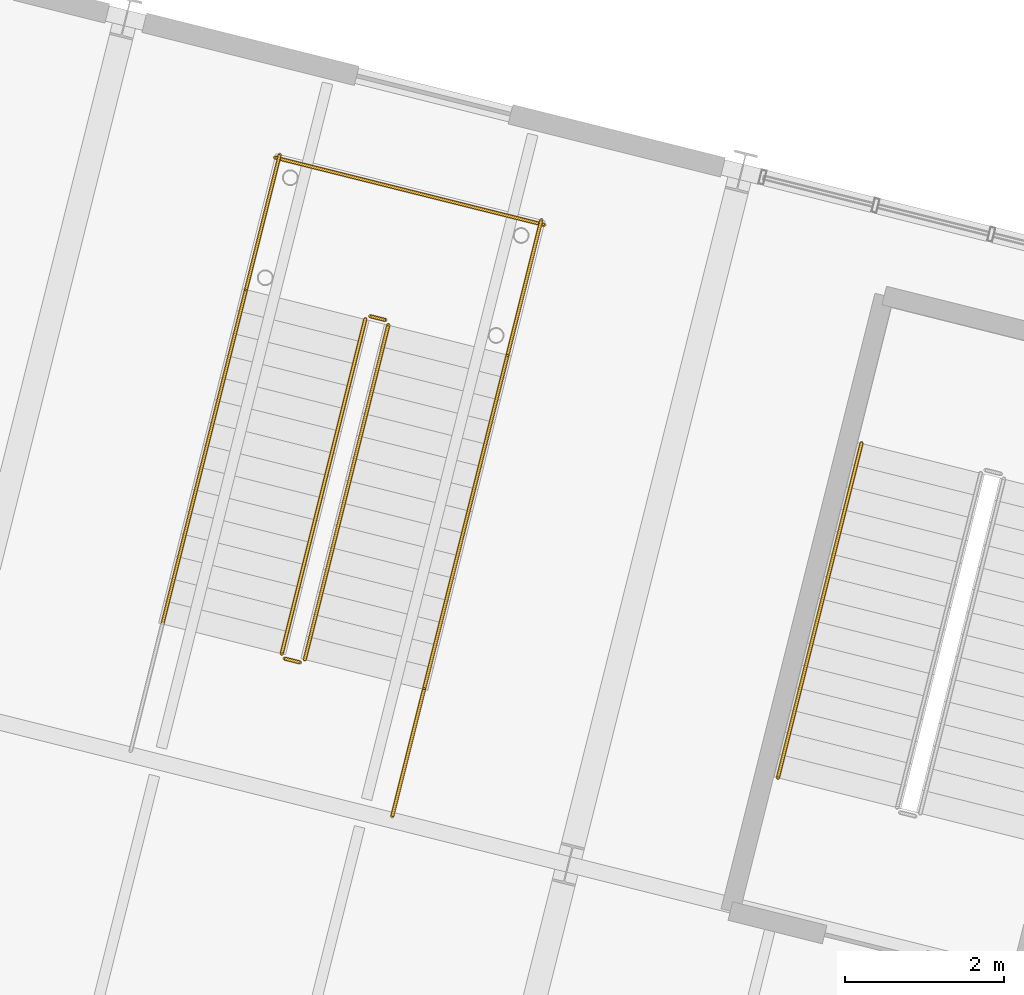
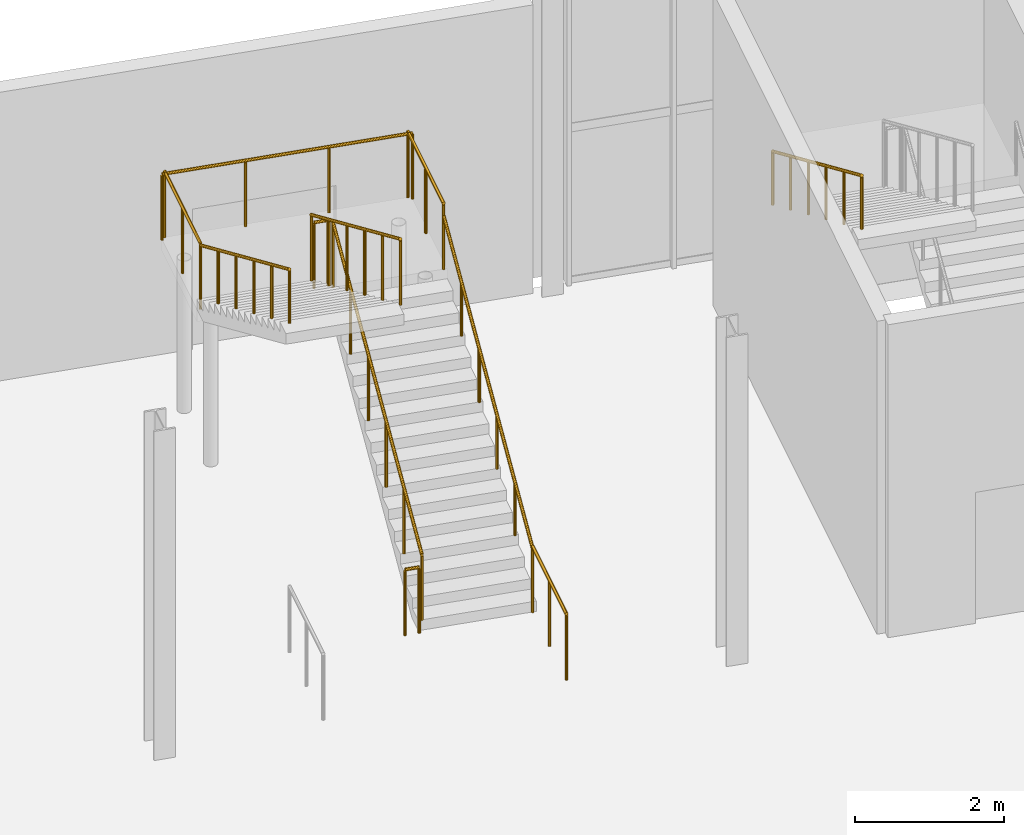
# One storey, part 152 of 158: 11 railings.
"""IFC4 building model written with IfcOpenShell, lengths in metres."""

from ifc_helpers import new_model, si_unit, derived_unit, direction, frame, origin, origin_2d, place, context, subcontext, project, spatial, circle, extrude, material, type_object, element, save


model = new_model("IFC4")

# Units and contexts
model_context = context("Model", 3, precision=1e-05, world=origin(), true_north=direction((0.0, 1.0)))
body_context = subcontext(model_context, "Body", "Model", "MODEL_VIEW")
ifc_project = project(units=[si_unit("LENGTHUNIT", "METRE"), si_unit("AREAUNIT", "SQUARE_METRE"), si_unit("VOLUMEUNIT", "CUBIC_METRE"), si_unit("PLANEANGLEUNIT", "RADIAN"), si_unit("MASSUNIT", "GRAM", prefix="KILO"), si_unit("THERMODYNAMICTEMPERATUREUNIT", "KELVIN"), si_unit("TIMEUNIT", "SECOND"), derived_unit("THERMALTRANSMITTANCEUNIT", [(si_unit("MASSUNIT", "GRAM", prefix="KILO"), 1), (si_unit("THERMODYNAMICTEMPERATUREUNIT", "KELVIN"), -1), (si_unit("TIMEUNIT", "SECOND"), -3)])], contexts=[model_context])

# Site, building, storey
site_placement = place(None, origin())
site = spatial("IfcSite", under=ifc_project, at=site_placement, CompositionType="ELEMENT")
building_placement = place(site_placement, origin())
building = spatial("IfcBuilding", under=site, at=building_placement, Name="Cambertide Market Hall", CompositionType="ELEMENT")
storey_placement = place(building_placement, origin())
storey = spatial("IfcBuildingStorey", under=building, at=storey_placement, Name="L01", CompositionType="ELEMENT", Elevation=0.0)

# Railings
ifc_material_1 = material(Name="Stainless Steel Grade 316", Category="metal")
railing_type_1 = type_object("IfcRailingType", Name="Stair Wall Handrail 900", PredefinedType="HANDRAIL", material=ifc_material_1)
railing_1_placement = place(storey_placement, frame((139.34765625, 116.953125, 2.86865234375)))
element("IfcRailing", 1, at=railing_1_placement, inside=storey, type_object=railing_type_1, Name="Level 1 ST-07B stair handrail 2", PredefinedType="HANDRAIL", context=body_context, shape_type="SweptSolid", body=[
    extrude(circle(Radius=0.02392578125, at=origin_2d()), frame((0.0, 0.0, 0.8759765625), z_axis=(-0.209614653707, -0.838507125508, 0.502958743261), x_axis=(0.970145801612, -0.242522418789, 0.0)), (0.0, 0.0, 1.0), 5.03271484375),
    extrude(circle(Radius=0.02099609375, at=origin_2d()), origin(), (0.0, 0.0, 1.0), 0.851806640625),
    extrude(circle(Radius=0.02099609375, at=origin_2d()), frame((-0.2109375, -0.843994140625, 0.50634765625)), (0.0, 0.0, 1.0), 0.851806640625),
    extrude(circle(Radius=0.02099609375, at=origin_2d()), frame((-0.421875, -1.68798828125, 1.012451171875)), (0.0, 0.0, 1.0), 0.851806640625),
    extrude(circle(Radius=0.02099609375, at=origin_2d()), frame((-0.633056640625, -2.531982421875, 1.518798828125)), (0.0, 0.0, 1.0), 0.851806640625),
    extrude(circle(Radius=0.02099609375, at=origin_2d()), frame((-0.843994140625, -3.3759765625, 2.02490234375)), (0.0, 0.0, 1.0), 0.851806640625),
    extrude(circle(Radius=0.02099609375, at=origin_2d()), frame((-1.054931640625, -4.219970703125, 2.53125)), (0.0, 0.0, 1.0), 0.851806640625),
])
railing_2_placement = place(storey_placement, frame((133.830078125, 113.848876953125, 0.168701171875)))
element("IfcRailing", 2, at=railing_2_placement, inside=storey, type_object=railing_type_1, Name="Level 1 ST-13 stair handrail 1", PredefinedType="HANDRAIL", context=body_context, shape_type="SweptSolid", body=[
    extrude(circle(Radius=0.02392578125, at=origin_2d()), frame((0.0, 0.0, 0.8759765625), z_axis=(0.209614653707, 0.838507125508, 0.502958743261), x_axis=(-0.970145801612, 0.242522418789, 0.0)), (0.0, 0.0, 1.0), 5.03271484375),
    extrude(circle(Radius=0.02099609375, at=origin_2d()), origin(), (0.0, 0.0, 1.0), 0.851806640625),
    extrude(circle(Radius=0.02099609375, at=origin_2d()), frame((0.2109375, 0.843994140625, 0.50634765625)), (0.0, 0.0, 1.0), 0.851806640625),
    extrude(circle(Radius=0.02099609375, at=origin_2d()), frame((0.421875, 1.68798828125, 1.012451171875)), (0.0, 0.0, 1.0), 0.851806640625),
    extrude(circle(Radius=0.02099609375, at=origin_2d()), frame((0.633056640625, 2.531982421875, 1.518798828125)), (0.0, 0.0, 1.0), 0.851806640625),
    extrude(circle(Radius=0.02099609375, at=origin_2d()), frame((0.843994140625, 3.3759765625, 2.02490234375)), (0.0, 0.0, 1.0), 0.851806640625),
    extrude(circle(Radius=0.02099609375, at=origin_2d()), frame((1.054931640625, 4.219970703125, 2.53125)), (0.0, 0.0, 1.0), 0.851806640625),
])
railing_3_placement = place(storey_placement, frame((131.586669921875, 118.8935546875, 2.86865234375)))
element("IfcRailing", 3, at=railing_3_placement, inside=storey, type_object=railing_type_1, Name="Level 1 ST-13 stair handrail 2", PredefinedType="HANDRAIL", context=body_context, shape_type="SweptSolid", body=[
    extrude(circle(Radius=0.02392578125, at=origin_2d()), frame((0.0, 0.0, 0.8759765625), z_axis=(-0.209652504363, -0.838513001022, 0.50293317104), x_axis=(0.970135897123, -0.242562035599, 0.0)), (0.0, 0.0, 1.0), 5.032958984375),
    extrude(circle(Radius=0.02099609375, at=origin_2d()), origin(), (0.0, 0.0, 1.0), 0.851806640625),
    extrude(circle(Radius=0.02099609375, at=origin_2d()), frame((-0.2109375, -0.843994140625, 0.50634765625)), (0.0, 0.0, 1.0), 0.851806640625),
    extrude(circle(Radius=0.02099609375, at=origin_2d()), frame((-0.422119140625, -1.68798828125, 1.012451171875)), (0.0, 0.0, 1.0), 0.851806640625),
    extrude(circle(Radius=0.02099609375, at=origin_2d()), frame((-0.633056640625, -2.5322265625, 1.518798828125)), (0.0, 0.0, 1.0), 0.851806640625),
    extrude(circle(Radius=0.02099609375, at=origin_2d()), frame((-0.84423828125, -3.376220703125, 2.02490234375)), (0.0, 0.0, 1.0), 0.851806640625),
    extrude(circle(Radius=0.02099609375, at=origin_2d()), frame((-1.05517578125, -4.22021484375, 2.53125)), (0.0, 0.0, 1.0), 0.851806640625),
])
ifc_material_2 = material(Name="Stainless Steel Grade 316", Category="metal")
railing_type_2 = type_object("IfcRailingType", Name="Stairwell Inner Guardrail 1100", PredefinedType="GUARDRAIL", material=ifc_material_2)
railing_4_placement = place(storey_placement, frame((132.326416015625, 114.224609375, 0.168701171875)))
element("IfcRailing", 4, at=railing_4_placement, inside=storey, type_object=railing_type_2, Name="Level 1 ST-13 stair guard 1", PredefinedType="GUARDRAIL", context=body_context, shape_type="SweptSolid", body=[
    extrude(circle(Radius=0.02392578125, at=origin_2d()), frame((0.0, 0.0, 1.076171875), z_axis=(0.209606127579, 0.838521527732, 0.50293828529), x_axis=(-0.970149102539, 0.242509213934, 0.0)), (0.0, 0.0, 1.0), 5.032958984375),
    extrude(circle(Radius=0.02099609375, at=origin_2d()), origin(), (0.0, 0.0, 1.0), 1.052001953125),
    extrude(circle(Radius=0.02099609375, at=origin_2d()), frame((0.2109375, 0.843994140625, 0.50634765625)), (0.0, 0.0, 1.0), 1.052001953125),
    extrude(circle(Radius=0.02099609375, at=origin_2d()), frame((0.421875, 1.68798828125, 1.012451171875)), (0.0, 0.0, 1.0), 1.052001953125),
    extrude(circle(Radius=0.02099609375, at=origin_2d()), frame((0.633056640625, 2.5322265625, 1.518798828125)), (0.0, 0.0, 1.0), 1.052001953125),
    extrude(circle(Radius=0.02099609375, at=origin_2d()), frame((0.843994140625, 3.376220703125, 2.02490234375)), (0.0, 0.0, 1.0), 1.052001953125),
    extrude(circle(Radius=0.02099609375, at=origin_2d()), frame((1.054931640625, 4.22021484375, 2.53125)), (0.0, 0.0, 1.0), 1.052001953125),
])
railing_5_placement = place(storey_placement, frame((133.344970703125, 118.50537109375, 2.699951171875)))
element("IfcRailing", 5, at=railing_5_placement, inside=storey, type_object=railing_type_2, Name="Level 1 ST-13 stair guard 2", PredefinedType="GUARDRAIL", context=body_context, shape_type="SweptSolid", body=[
    extrude(circle(Radius=0.02392578125, at=origin_2d()), frame((0.0, 0.0, 1.076171875), z_axis=(-0.970070680326, 0.242822723755, 0.0), x_axis=(-0.242822723755, -0.970070680326, 0.0)), (0.0, 0.0, 1.0), 0.2001953125),
    extrude(circle(Radius=0.02099609375, at=origin_2d()), origin(), (0.0, 0.0, 1.0), 1.052001953125),
    extrude(circle(Radius=0.02099609375, at=origin_2d()), frame((-0.194091796875, 0.048583984375, 0.0)), (0.0, 0.0, 1.0), 1.052001953125),
])
railing_6_placement = place(storey_placement, frame((134.885009765625, 118.06884765625, 2.699951171875)))
element("IfcRailing", 6, at=railing_6_placement, inside=storey, type_object=railing_type_2, Name="Level 1 ST-13 stair guard 3", PredefinedType="GUARDRAIL", context=body_context, shape_type="SweptSolid", body=[
    extrude(circle(Radius=0.02392578125, at=origin_2d()), frame((0.0, 0.0, 1.076171875), z_axis=(0.242601274455, 0.97012608543, 0.0), x_axis=(-0.97012608543, 0.242601274455, 0.0)), (0.0, 0.0, 1.0), 1.75),
    extrude(circle(Radius=0.02099609375, at=origin_2d()), origin(), (0.0, 0.0, 1.0), 1.052001953125),
    extrude(circle(Radius=0.02099609375, at=origin_2d()), frame((0.21240234375, 0.848876953125, 0.0)), (0.0, 0.0, 1.0), 1.052001953125),
    extrude(circle(Radius=0.02099609375, at=origin_2d()), frame((0.424560546875, 1.69775390625, 0.0)), (0.0, 0.0, 1.0), 1.052001953125),
])
railing_7_placement = place(storey_placement, frame((131.586669921875, 118.8935546875, 2.699951171875)))
element("IfcRailing", 7, at=railing_7_placement, inside=storey, type_object=railing_type_2, Name="Level 1 ST-13 stair guard 4", PredefinedType="GUARDRAIL", context=body_context, shape_type="SweptSolid", body=[
    extrude(circle(Radius=0.02392578125, at=origin_2d()), frame((0.0, 0.0, 1.076171875), z_axis=(0.242469972285, 0.970158910973, 0.0), x_axis=(-0.970158910973, 0.242469972285, 0.0)), (0.0, 0.0, 1.0), 1.75),
    extrude(circle(Radius=0.02099609375, at=origin_2d()), origin(), (0.0, 0.0, 1.0), 1.052001953125),
    extrude(circle(Radius=0.02099609375, at=origin_2d()), frame((0.212158203125, 0.848876953125, 0.0)), (0.0, 0.0, 1.0), 1.052001953125),
    extrude(circle(Radius=0.02099609375, at=origin_2d()), frame((0.42431640625, 1.69775390625, 0.0)), (0.0, 0.0, 1.0), 1.052001953125),
])
railing_8_placement = place(storey_placement, frame((135.345947265625, 119.7060546875, 2.699951171875)))
element("IfcRailing", 8, at=railing_8_placement, inside=storey, type_object=railing_type_2, Name="Level 1 ST-13 stair guard 5", PredefinedType="GUARDRAIL", context=body_context, shape_type="SweptSolid", body=[
    extrude(circle(Radius=0.02392578125, at=origin_2d()), frame((0.0, 0.0, 1.076171875), z_axis=(-0.970142500145, 0.242535625036, 0.0), x_axis=(-0.242535625036, -0.970142500145, 0.0)), (0.0, 0.0, 1.0), 3.5),
    extrude(circle(Radius=0.02099609375, at=origin_2d()), origin(), (0.0, 0.0, 1.0), 1.052001953125),
    extrude(circle(Radius=0.02099609375, at=origin_2d()), frame((-1.1318359375, 0.282958984375, 0.0)), (0.0, 0.0, 1.0), 1.052001953125),
    extrude(circle(Radius=0.02099609375, at=origin_2d()), frame((-2.263671875, 0.56591796875, 0.0)), (0.0, 0.0, 1.0), 1.052001953125),
    extrude(circle(Radius=0.02099609375, at=origin_2d()), frame((-3.3955078125, 0.848876953125, 0.0)), (0.0, 0.0, 1.0), 1.052001953125),
])
railing_9_placement = place(storey_placement, frame((133.09033203125, 118.517578125, 2.86865234375)))
element("IfcRailing", 9, at=railing_9_placement, inside=storey, type_object=railing_type_2, Name="Level 1 ST-13 stair guard 6", PredefinedType="GUARDRAIL", context=body_context, shape_type="SweptSolid", body=[
    extrude(circle(Radius=0.02392578125, at=origin_2d()), frame((0.0, 0.0, 1.076171875), z_axis=(-0.209606127579, -0.838521527732, 0.50293828529), x_axis=(0.970149102539, -0.242509213934, 0.0)), (0.0, 0.0, 1.0), 5.032958984375),
    extrude(circle(Radius=0.02099609375, at=origin_2d()), origin(), (0.0, 0.0, 1.0), 1.052001953125),
    extrude(circle(Radius=0.02099609375, at=origin_2d()), frame((-0.2109375, -0.843994140625, 0.50634765625)), (0.0, 0.0, 1.0), 1.052001953125),
    extrude(circle(Radius=0.02099609375, at=origin_2d()), frame((-0.421875, -1.68798828125, 1.012451171875)), (0.0, 0.0, 1.0), 1.052001953125),
    extrude(circle(Radius=0.02099609375, at=origin_2d()), frame((-0.633056640625, -2.5322265625, 1.518798828125)), (0.0, 0.0, 1.0), 1.052001953125),
    extrude(circle(Radius=0.02099609375, at=origin_2d()), frame((-0.843994140625, -3.376220703125, 2.02490234375)), (0.0, 0.0, 1.0), 1.052001953125),
    extrude(circle(Radius=0.02099609375, at=origin_2d()), frame((-1.054931640625, -4.22021484375, 2.53125)), (0.0, 0.0, 1.0), 1.052001953125),
])
railing_10_placement = place(storey_placement, frame((132.265625, 114.188232421875, 0.0)))
element("IfcRailing", 10, at=railing_10_placement, inside=storey, type_object=railing_type_2, Name="Level 1 ST-13 stair guard 7", PredefinedType="GUARDRAIL", context=body_context, shape_type="SweptSolid", body=[
    extrude(circle(Radius=0.02392578125, at=origin_2d()), frame((0.0, 0.0, 1.076171875), z_axis=(-0.969998605015, 0.24311048161, 0.0), x_axis=(-0.24311048161, -0.969998605015, 0.0)), (0.0, 0.0, 1.0), 0.199951171875),
    extrude(circle(Radius=0.02099609375, at=origin_2d()), origin(), (0.0, 0.0, 1.0), 1.052001953125),
    extrude(circle(Radius=0.02099609375, at=origin_2d()), frame((-0.19384765625, 0.048583984375, 0.0)), (0.0, 0.0, 1.0), 1.052001953125),
])
railing_11_placement = place(storey_placement, frame((133.429931640625, 112.248046875, 0.0)))
element("IfcRailing", 11, at=railing_11_placement, inside=storey, type_object=railing_type_2, Name="Level 1 ST-13 stair guard 8", PredefinedType="GUARDRAIL", context=body_context, shape_type="SweptSolid", body=[
    extrude(circle(Radius=0.02392578125, at=origin_2d()), frame((0.0, 0.0, 1.076171875), z_axis=(0.242500811571, 0.970151202848, 0.0), x_axis=(-0.970151202848, 0.242500811571, 0.0)), (0.0, 0.0, 1.0), 1.650146484375),
    extrude(circle(Radius=0.02099609375, at=origin_2d()), origin(), (0.0, 0.0, 1.0), 1.052001953125),
    extrude(circle(Radius=0.02099609375, at=origin_2d()), frame((0.2001953125, 0.80029296875, 0.0)), (0.0, 0.0, 1.0), 1.052001953125),
    extrude(circle(Radius=0.02099609375, at=origin_2d()), frame((0.400146484375, 1.600830078125, 0.0)), (0.0, 0.0, 1.0), 1.052001953125),
])

save(model, "model.ifc")
